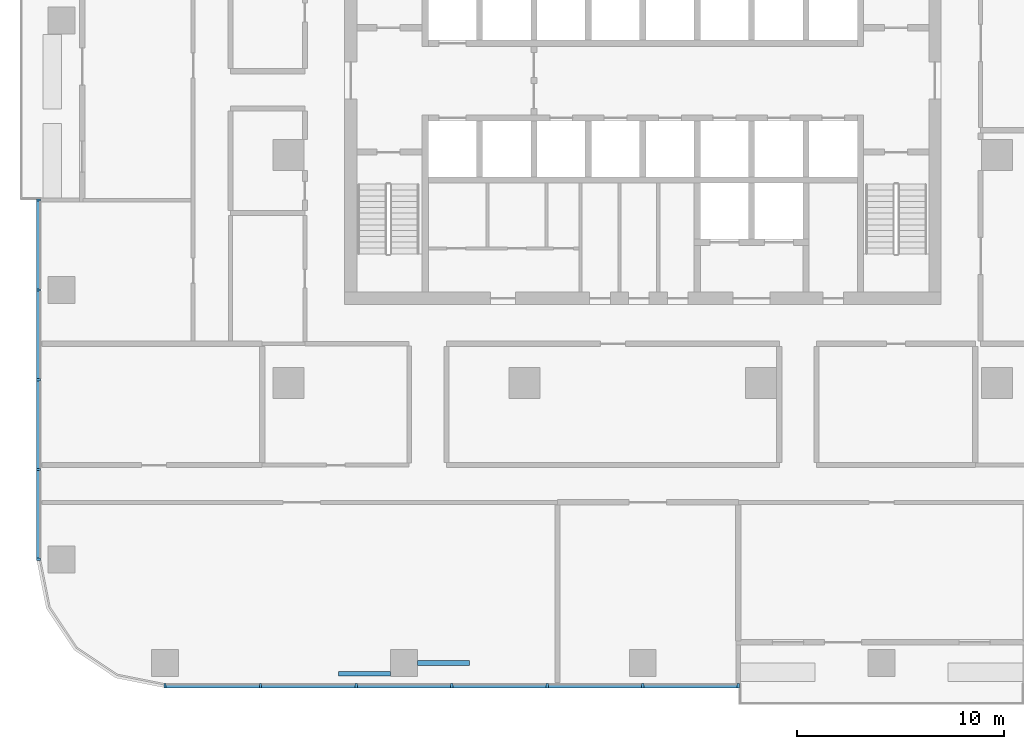
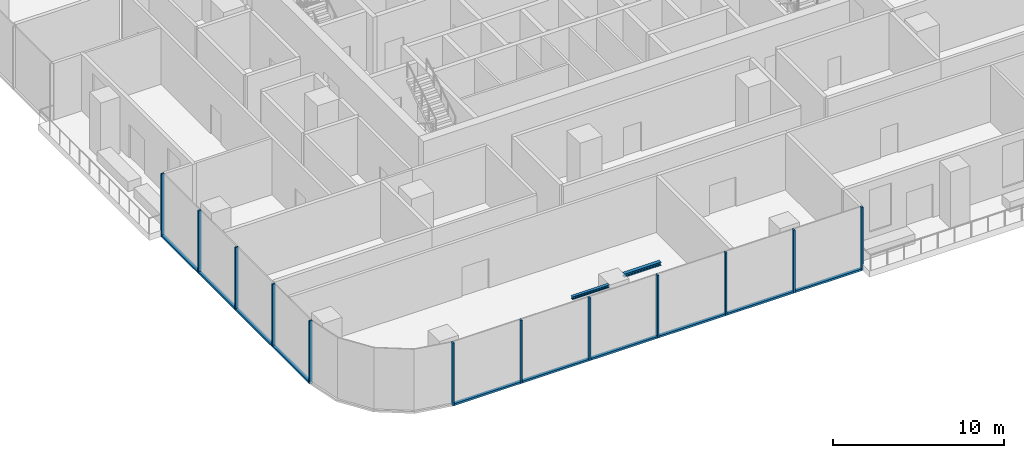
# One storey, part 2 of 15: 22 members, 2 beams, 2 elements without a shape of their own.
"""IFC4 building model written with IfcOpenShell, lengths in metres."""

from ifc_helpers import new_model, si_unit, direction, frame, origin, origin_2d, place, context, subcontext, project, spatial, rectangle, i_section, extrude, material, material_profile, profile_set, type_object, element, aggregate, save


model = new_model("IFC4")

# Units and contexts
model_context = context("Model", 3, precision=1e-05, world=origin(), true_north=direction((0.0, 1.0)))
body_context = subcontext(model_context, "Body", "Model", "MODEL_VIEW")
ifc_project = project(units=[si_unit("LENGTHUNIT", "METRE"), si_unit("AREAUNIT", "SQUARE_METRE"), si_unit("VOLUMEUNIT", "CUBIC_METRE"), si_unit("PLANEANGLEUNIT", "RADIAN"), si_unit("MASSUNIT", "GRAM", prefix="KILO")], contexts=[model_context])

# Site, building, storey
site_placement = place(None, origin())
site = spatial("IfcSite", under=ifc_project, at=site_placement, CompositionType="ELEMENT")
building_placement = place(site_placement, origin())
building = spatial("IfcBuilding", under=site, at=building_placement, Name="Mopane Tessera Tower", CompositionType="ELEMENT")
storey_placement = place(building_placement, frame((0.0, 0.0, 117.10009765625)))
storey = spatial("IfcBuildingStorey", under=building, at=storey_placement, Name="L23", CompositionType="ELEMENT", Elevation=117.10009765625)

# Curtain wall, members
ifc_material_1 = material(Name="Aluminium frame", Category="aluminium")
curtain_wall_type = type_object("IfcCurtainWallType", Name="Lower tower unitised wall", PredefinedType="NOTDEFINED", material=ifc_material_1)
curtain_wall_1_placement = place(storey_placement, origin())
curtain_wall_1 = element("IfcCurtainWall", 1, at=curtain_wall_1_placement, inside=storey, type_object=curtain_wall_type, Name="e:cw:L23:S:0", PredefinedType="NOTDEFINED")
ifc_material_2 = material(Name="Aluminium frame", Category="aluminium")
ifc_material_profile_1 = material_profile(ifc_material_2, rectangle(XDim=0.110107421875, YDim=0.199951171875, at=origin_2d()))
ifc_profile_set_1 = profile_set([ifc_material_profile_1], Name="Aluminium frame")
member_type_1 = type_object("IfcMemberType", Name="Aluminium mullion 110 x 200", PredefinedType="MULLION", material=ifc_profile_set_1)
member_1_placement = place(storey_placement, frame((-23.050048828125, -25.60009765625, -0.4501953125), z_axis=(0.0, 0.0, 1.0), x_axis=(1.0, 0.0, 0.0)))
member_1 = element("IfcMember", 2, at=member_1_placement, type_object=member_type_1, Name="e:cw:L23:S:0:mu0", PredefinedType="MULLION", context=body_context, shape_type="SweptSolid", body=[
    extrude(rectangle(XDim=0.110107421875, YDim=0.199951171875, at=origin_2d()), origin(), (0.0, 0.0, 1.0), 4.5),
])
member_2_placement = place(storey_placement, frame((-18.43994140625, -25.60009765625, -0.4501953125), z_axis=(0.0, 0.0, 1.0), x_axis=(1.0, 0.0, 0.0)))
member_2 = element("IfcMember", 3, at=member_2_placement, type_object=member_type_1, Name="e:cw:L23:S:0:mu1", PredefinedType="MULLION", context=body_context, shape_type="SweptSolid", body=[
    extrude(rectangle(XDim=0.110107421875, YDim=0.199951171875, at=origin_2d()), origin(), (0.0, 0.0, 1.0), 4.5),
])
member_3_placement = place(storey_placement, frame((-13.830078125, -25.60009765625, -0.4501953125), z_axis=(0.0, 0.0, 1.0), x_axis=(1.0, 0.0, 0.0)))
member_3 = element("IfcMember", 4, at=member_3_placement, type_object=member_type_1, Name="e:cw:L23:S:0:mu2", PredefinedType="MULLION", context=body_context, shape_type="SweptSolid", body=[
    extrude(rectangle(XDim=0.110107421875, YDim=0.199951171875, at=origin_2d()), origin(), (0.0, 0.0, 1.0), 4.5),
])
member_4_placement = place(storey_placement, frame((-9.219970703125, -25.60009765625, -0.4501953125), z_axis=(0.0, 0.0, 1.0), x_axis=(1.0, 0.0, 0.0)))
member_4 = element("IfcMember", 5, at=member_4_placement, type_object=member_type_1, Name="e:cw:L23:S:0:mu3", PredefinedType="MULLION", context=body_context, shape_type="SweptSolid", body=[
    extrude(rectangle(XDim=0.110107421875, YDim=0.199951171875, at=origin_2d()), origin(), (0.0, 0.0, 1.0), 4.5),
])
member_5_placement = place(storey_placement, frame((-4.610107421875, -25.60009765625, -0.4501953125), z_axis=(0.0, 0.0, 1.0), x_axis=(1.0, 0.0, 0.0)))
member_5 = element("IfcMember", 6, at=member_5_placement, type_object=member_type_1, Name="e:cw:L23:S:0:mu4", PredefinedType="MULLION", context=body_context, shape_type="SweptSolid", body=[
    extrude(rectangle(XDim=0.110107421875, YDim=0.199951171875, at=origin_2d()), origin(), (0.0, 0.0, 1.0), 4.5),
])
member_6_placement = place(storey_placement, frame((0.0, -25.60009765625, -0.4501953125), z_axis=(0.0, 0.0, 1.0), x_axis=(1.0, 0.0, 0.0)))
member_6 = element("IfcMember", 7, at=member_6_placement, type_object=member_type_1, Name="e:cw:L23:S:0:mu5", PredefinedType="MULLION", context=body_context, shape_type="SweptSolid", body=[
    extrude(rectangle(XDim=0.110107421875, YDim=0.199951171875, at=origin_2d()), origin(), (0.0, 0.0, 1.0), 4.5),
])
member_7_placement = place(storey_placement, frame((4.610107421875, -25.60009765625, -0.4501953125), z_axis=(0.0, 0.0, 1.0), x_axis=(1.0, 0.0, 0.0)))
member_7 = element("IfcMember", 8, at=member_7_placement, type_object=member_type_1, Name="e:cw:L23:S:0:mu6", PredefinedType="MULLION", context=body_context, shape_type="SweptSolid", body=[
    extrude(rectangle(XDim=0.110107421875, YDim=0.199951171875, at=origin_2d()), origin(), (0.0, 0.0, 1.0), 4.5),
])

curtain_wall_2_placement = place(storey_placement, origin())
curtain_wall_2 = element("IfcCurtainWall", 9, at=curtain_wall_2_placement, inside=storey, type_object=curtain_wall_type, Name="e:cw:L23:W:5", PredefinedType="NOTDEFINED")
member_8_placement = place(storey_placement, frame((-29.14990234375, -2.166748046875, -0.4501953125), z_axis=(0.0, 0.0, 1.0), x_axis=(0.0, -1.0, 0.0)))
member_8 = element("IfcMember", 10, at=member_8_placement, type_object=member_type_1, Name="e:cw:L23:W:5:mu5", PredefinedType="MULLION", context=body_context, shape_type="SweptSolid", body=[
    extrude(rectangle(XDim=0.110107421875, YDim=0.199951171875, at=origin_2d()), origin(), (0.0, 0.0, 1.0), 4.5),
])
member_9_placement = place(storey_placement, frame((-29.14990234375, -6.5, -0.4501953125), z_axis=(0.0, 0.0, 1.0), x_axis=(0.0, -1.0, 0.0)))
member_9 = element("IfcMember", 11, at=member_9_placement, type_object=member_type_1, Name="e:cw:L23:W:5:mu6", PredefinedType="MULLION", context=body_context, shape_type="SweptSolid", body=[
    extrude(rectangle(XDim=0.110107421875, YDim=0.199951171875, at=origin_2d()), origin(), (0.0, 0.0, 1.0), 4.5),
])
member_10_placement = place(storey_placement, frame((-29.14990234375, -10.833251953125, -0.4501953125), z_axis=(0.0, 0.0, 1.0), x_axis=(0.0, -1.0, 0.0)))
member_10 = element("IfcMember", 12, at=member_10_placement, type_object=member_type_1, Name="e:cw:L23:W:5:mu7", PredefinedType="MULLION", context=body_context, shape_type="SweptSolid", body=[
    extrude(rectangle(XDim=0.110107421875, YDim=0.199951171875, at=origin_2d()), origin(), (0.0, 0.0, 1.0), 4.5),
])
member_11_placement = place(storey_placement, frame((-29.14990234375, -15.166748046875, -0.4501953125), z_axis=(0.0, 0.0, 1.0), x_axis=(0.0, -1.0, 0.0)))
member_11 = element("IfcMember", 13, at=member_11_placement, type_object=member_type_1, Name="e:cw:L23:W:5:mu8", PredefinedType="MULLION", context=body_context, shape_type="SweptSolid", body=[
    extrude(rectangle(XDim=0.110107421875, YDim=0.199951171875, at=origin_2d()), origin(), (0.0, 0.0, 1.0), 4.5),
])
member_12_placement = place(storey_placement, frame((-29.14990234375, -19.5, -0.4501953125), z_axis=(0.0, 0.0, 1.0), x_axis=(0.0, -1.0, 0.0)))
member_12 = element("IfcMember", 14, at=member_12_placement, type_object=member_type_1, Name="e:cw:L23:W:5:mu9", PredefinedType="MULLION", context=body_context, shape_type="SweptSolid", body=[
    extrude(rectangle(XDim=0.110107421875, YDim=0.199951171875, at=origin_2d()), origin(), (0.0, 0.0, 1.0), 4.5),
])

# Member
ifc_material_3 = material(Name="Aluminium frame", Category="aluminium")
ifc_material_profile_2 = material_profile(ifc_material_3, rectangle(XDim=0.199951171875, YDim=0.139892578125, at=origin_2d()))
ifc_profile_set_2 = profile_set([ifc_material_profile_2], Name="Aluminium frame")
member_type_2 = type_object("IfcMemberType", Name="Aluminium transom 200 x 140", PredefinedType="USERDEFINED", material=ifc_profile_set_2)
member_13_placement = place(storey_placement, frame((-22.9951171875, -25.60009765625, -0.380126953125), z_axis=(1.0, 0.0, 0.0), x_axis=(0.0, 1.0, 0.0)))
member_13 = element("IfcMember", 15, at=member_13_placement, type_object=member_type_2, Name="e:cw:L23:S:0:tr0", ObjectType="TRANSOM", PredefinedType="USERDEFINED", context=body_context, shape_type="SweptSolid", body=[
    extrude(rectangle(XDim=0.199951171875, YDim=0.139892578125, at=origin_2d()), origin(), (0.0, 0.0, 1.0), 4.5),
])

member_14_placement = place(storey_placement, frame((-18.385009765625, -25.60009765625, -0.380126953125), z_axis=(1.0, 0.0, 0.0), x_axis=(0.0, 1.0, 0.0)))
member_14 = element("IfcMember", 16, at=member_14_placement, type_object=member_type_2, Name="e:cw:L23:S:0:tr1", ObjectType="TRANSOM", PredefinedType="USERDEFINED", context=body_context, shape_type="SweptSolid", body=[
    extrude(rectangle(XDim=0.199951171875, YDim=0.139892578125, at=origin_2d()), origin(), (0.0, 0.0, 1.0), 4.5),
])

member_15_placement = place(storey_placement, frame((-13.77490234375, -25.60009765625, -0.380126953125), z_axis=(1.0, 0.0, 0.0), x_axis=(0.0, 1.0, 0.0)))
member_15 = element("IfcMember", 17, at=member_15_placement, type_object=member_type_2, Name="e:cw:L23:S:0:tr2", ObjectType="TRANSOM", PredefinedType="USERDEFINED", context=body_context, shape_type="SweptSolid", body=[
    extrude(rectangle(XDim=0.199951171875, YDim=0.139892578125, at=origin_2d()), origin(), (0.0, 0.0, 1.0), 4.5),
])

member_16_placement = place(storey_placement, frame((-9.1650390625, -25.60009765625, -0.380126953125), z_axis=(1.0, 0.0, 0.0), x_axis=(0.0, 1.0, 0.0)))
member_16 = element("IfcMember", 18, at=member_16_placement, type_object=member_type_2, Name="e:cw:L23:S:0:tr3", ObjectType="TRANSOM", PredefinedType="USERDEFINED", context=body_context, shape_type="SweptSolid", body=[
    extrude(rectangle(XDim=0.199951171875, YDim=0.139892578125, at=origin_2d()), origin(), (0.0, 0.0, 1.0), 4.5),
])

member_17_placement = place(storey_placement, frame((-4.554931640625, -25.60009765625, -0.380126953125), z_axis=(1.0, 0.0, 0.0), x_axis=(0.0, 1.0, 0.0)))
member_17 = element("IfcMember", 19, at=member_17_placement, type_object=member_type_2, Name="e:cw:L23:S:0:tr4", ObjectType="TRANSOM", PredefinedType="USERDEFINED", context=body_context, shape_type="SweptSolid", body=[
    extrude(rectangle(XDim=0.199951171875, YDim=0.139892578125, at=origin_2d()), origin(), (0.0, 0.0, 1.0), 4.5),
])

member_18_placement = place(storey_placement, frame((0.054931640625, -25.60009765625, -0.380126953125), z_axis=(1.0, 0.0, 0.0), x_axis=(0.0, 1.0, 0.0)))
member_18 = element("IfcMember", 20, at=member_18_placement, type_object=member_type_2, Name="e:cw:L23:S:0:tr5", ObjectType="TRANSOM", PredefinedType="USERDEFINED", context=body_context, shape_type="SweptSolid", body=[
    extrude(rectangle(XDim=0.199951171875, YDim=0.139892578125, at=origin_2d()), origin(), (0.0, 0.0, 1.0), 4.5),
])

aggregate(curtain_wall_1, [member_1, member_2, member_3, member_4, member_5, member_6, member_7, member_13, member_14, member_15, member_16, member_17, member_18])

member_19_placement = place(storey_placement, frame((-29.14990234375, -2.2216796875, -0.380126953125), z_axis=(0.0, -1.0, 0.0), x_axis=(1.0, 0.0, 0.0)))
member_19 = element("IfcMember", 21, at=member_19_placement, type_object=member_type_2, Name="e:cw:L23:W:5:tr5", ObjectType="TRANSOM", PredefinedType="USERDEFINED", context=body_context, shape_type="SweptSolid", body=[
    extrude(rectangle(XDim=0.199951171875, YDim=0.139892578125, at=origin_2d()), origin(), (0.0, 0.0, 1.0), 4.223388671875),
])

member_20_placement = place(storey_placement, frame((-29.14990234375, -6.554931640625, -0.380126953125), z_axis=(0.0, -1.0, 0.0), x_axis=(1.0, 0.0, 0.0)))
member_20 = element("IfcMember", 22, at=member_20_placement, type_object=member_type_2, Name="e:cw:L23:W:5:tr6", ObjectType="TRANSOM", PredefinedType="USERDEFINED", context=body_context, shape_type="SweptSolid", body=[
    extrude(rectangle(XDim=0.199951171875, YDim=0.139892578125, at=origin_2d()), origin(), (0.0, 0.0, 1.0), 4.223388671875),
])

member_21_placement = place(storey_placement, frame((-29.14990234375, -10.888427734375, -0.380126953125), z_axis=(0.0, -1.0, 0.0), x_axis=(1.0, 0.0, 0.0)))
member_21 = element("IfcMember", 23, at=member_21_placement, type_object=member_type_2, Name="e:cw:L23:W:5:tr7", ObjectType="TRANSOM", PredefinedType="USERDEFINED", context=body_context, shape_type="SweptSolid", body=[
    extrude(rectangle(XDim=0.199951171875, YDim=0.139892578125, at=origin_2d()), origin(), (0.0, 0.0, 1.0), 4.22314453125),
])

member_22_placement = place(storey_placement, frame((-29.14990234375, -15.2216796875, -0.380126953125), z_axis=(0.0, -1.0, 0.0), x_axis=(1.0, 0.0, 0.0)))
member_22 = element("IfcMember", 24, at=member_22_placement, type_object=member_type_2, Name="e:cw:L23:W:5:tr8", ObjectType="TRANSOM", PredefinedType="USERDEFINED", context=body_context, shape_type="SweptSolid", body=[
    extrude(rectangle(XDim=0.199951171875, YDim=0.139892578125, at=origin_2d()), origin(), (0.0, 0.0, 1.0), 4.223388671875),
])

aggregate(curtain_wall_2, [member_8, member_9, member_10, member_11, member_12, member_19, member_20, member_21, member_22])

# Beams
ifc_material_4 = material(Name="Structural steel S460", Category="steel")
ifc_material_profile_3 = material_profile(ifc_material_4, i_section(OverallWidth=0.239990234375, OverallDepth=0.239990234375, WebThickness=0.010009765625, FlangeThickness=0.01708984375, FilletRadius=0.02099609375, at=origin_2d()))
ifc_profile_set_3 = profile_set([ifc_material_profile_3], Name="Structural steel S460")
beam_type_1 = type_object("IfcBeamType", Name="Terrace spandrel beam HE 240 B", PredefinedType="SPANDREL", material=ifc_profile_set_3)
beam_1_placement = place(storey_placement, frame((-10.871826171875, -24.5, 3.929931640625), z_axis=(1.0, 0.0, 0.0), x_axis=(0.0, 1.0, 0.0)))
element("IfcBeam", 25, at=beam_1_placement, inside=storey, type_object=beam_type_1, Name="Terrace spandrel beam N2 L24", PredefinedType="SPANDREL", context=body_context, shape_type="SweptSolid", body=[
    extrude(i_section(OverallWidth=0.239990234375, OverallDepth=0.239990234375, WebThickness=0.010009765625, FlangeThickness=0.01708984375, FilletRadius=0.02099609375, at=origin_2d()), origin(), (0.0, 0.0, 1.0), 2.5),
])
ifc_material_5 = material(Name="Structural steel S460", Category="steel")
ifc_material_profile_4 = material_profile(ifc_material_5, i_section(OverallWidth=0.199951171875, OverallDepth=0.199951171875, WebThickness=0.009033203125, FlangeThickness=0.014892578125, FilletRadius=0.01806640625, at=origin_2d()))
ifc_profile_set_4 = profile_set([ifc_material_profile_4], Name="Structural steel S460")
beam_type_2 = type_object("IfcBeamType", Name="Terrace trimmer beam HE 200 B", PredefinedType="BEAM", material=ifc_profile_set_4)
beam_2_placement = place(storey_placement, frame((-12.177978515625, -25.02001953125, 3.949951171875), z_axis=(-1.0, 0.0, 0.0), x_axis=(0.0, -1.0, 0.0)))
element("IfcBeam", 26, at=beam_2_placement, inside=storey, type_object=beam_type_2, Name="Terrace trimmer beam N2 L24", PredefinedType="BEAM", context=body_context, shape_type="SweptSolid", body=[
    extrude(i_section(OverallWidth=0.199951171875, OverallDepth=0.199951171875, WebThickness=0.009033203125, FlangeThickness=0.014892578125, FilletRadius=0.01806640625, at=origin_2d()), origin(), (0.0, 0.0, 1.0), 2.5),
])

save(model, "model.ifc")
